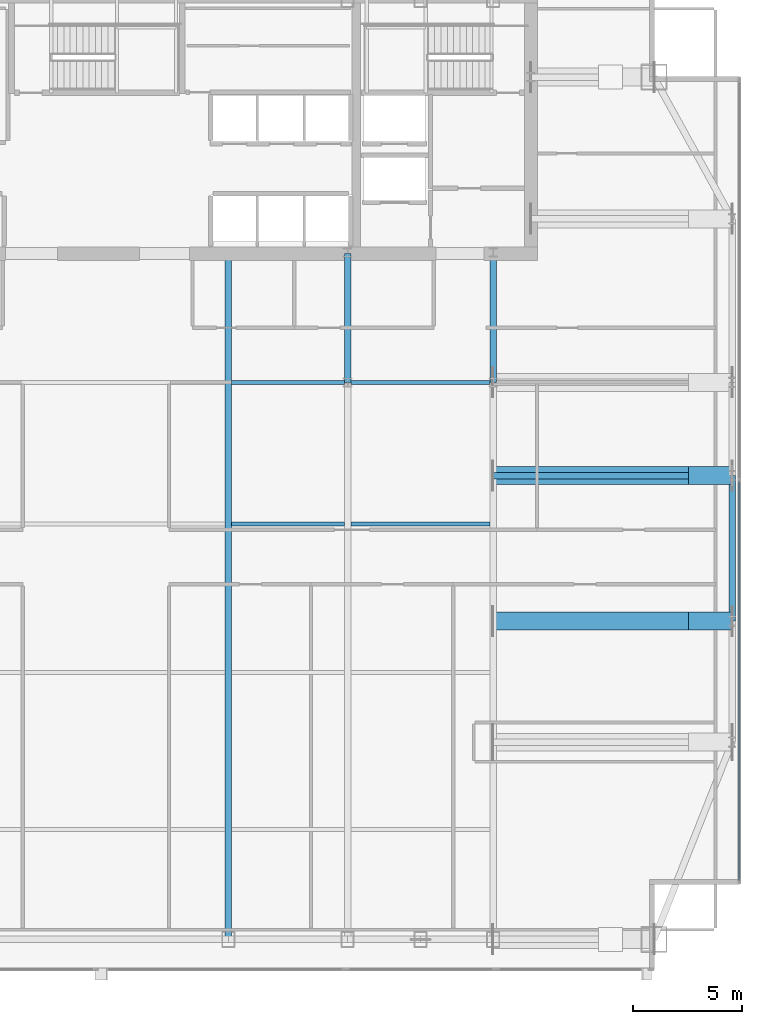
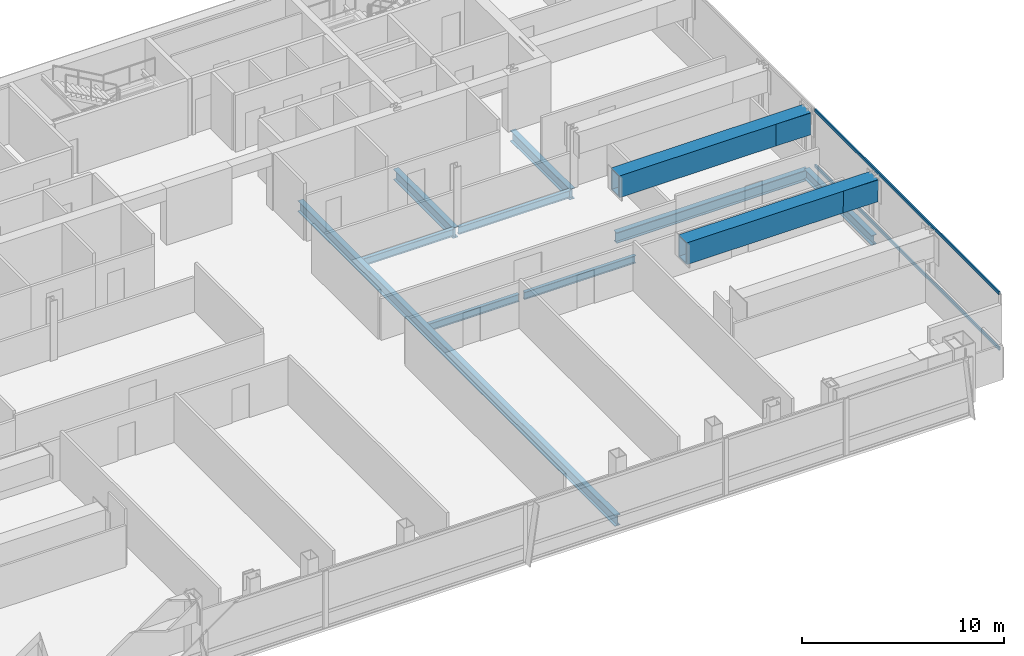
# One storey, part 14 of 26: 13 beams, 2 members, 1 element without a shape of its own.
"""IFC4 building model written with IfcOpenShell, lengths in metres."""

from ifc_helpers import new_model, si_unit, direction, frame, origin, origin_2d, place, context, subcontext, project, spatial, hollow_rectangle, i_section, extrude, material, material_profile, profile_set, type_object, element, aggregate, save


model = new_model("IFC4")

# Units and contexts
model_context = context("Model", 3, precision=1e-05, world=origin(), true_north=direction((0.0, 1.0)))
body_context = subcontext(model_context, "Body", "Model", "MODEL_VIEW")
ifc_project = project(units=[si_unit("LENGTHUNIT", "METRE"), si_unit("AREAUNIT", "SQUARE_METRE"), si_unit("VOLUMEUNIT", "CUBIC_METRE"), si_unit("PLANEANGLEUNIT", "RADIAN"), si_unit("MASSUNIT", "GRAM", prefix="KILO")], contexts=[model_context])

# Site, building, storey
site_placement = place(None, origin())
site = spatial("IfcSite", under=ifc_project, at=site_placement, CompositionType="ELEMENT")
building_placement = place(site_placement, origin())
building = spatial("IfcBuilding", under=site, at=building_placement, Name="Khoronbel Lancet Exchange", CompositionType="ELEMENT")
storey_placement = place(building_placement, frame((0.0, 0.0, 235.39990234375)))
storey = spatial("IfcBuildingStorey", under=building, at=storey_placement, Name="L60", CompositionType="ELEMENT", Elevation=235.39990234375)

# Beams
ifc_material_1 = material(Name="Steel S355", Category="steel")
ifc_material_profile_1 = material_profile(ifc_material_1, i_section(OverallWidth=0.300048828125, OverallDepth=0.64990234375, WebThickness=0.01611328125, FlangeThickness=0.031005859375, at=origin_2d()), Name="HEB 650")
ifc_profile_set_1 = profile_set([ifc_material_profile_1], Name="Steel S355")
beam_type_1 = type_object("IfcBeamType", Name="BM-BG4", PredefinedType="BEAM", material=ifc_profile_set_1)
beam_1_placement = place(storey_placement, frame((42.52490234375, 10.14990234375, -0.48486328125), z_axis=(0.0, 1.0, 0.0), x_axis=(-1.0, 0.0, 0.0)))
element("IfcBeam", 1, at=beam_1_placement, inside=storey, type_object=beam_type_1, Name="Level L60 primary floor girder G4", PredefinedType="BEAM", context=body_context, shape_type="SweptSolid", body=[
    extrude(i_section(OverallWidth=0.300048828125, OverallDepth=0.64990234375, WebThickness=0.01611328125, FlangeThickness=0.031005859375, at=origin_2d()), origin(), (0.0, 0.0, 1.0), 31.4501953125),
])
for number, where, z_axis, x_axis, name in (
    (2, (48.0, 35.699951171875, -0.48486328125), (0.0, 1.0, 0.0), (-1.0, 0.0, 0.0), "Level L60 spine tie girder GN5"),
    (3, (54.675048828125, 35.699951171875, -0.48486328125), (0.0, 1.0, 0.0), (-1.0, 0.0, 0.0), "Level L60 spine tie girder GN6"),
):
    element("IfcBeam", number, at=place(storey_placement, frame(where, z_axis=z_axis, x_axis=x_axis)), inside=storey, type_object=beam_type_1, Name=name, PredefinedType="BEAM", context=body_context, shape_type="SweptSolid", body=[
        extrude(i_section(OverallWidth=0.300048828125, OverallDepth=0.64990234375, WebThickness=0.01611328125, FlangeThickness=0.031005859375, at=origin_2d()), origin(), (0.0, 0.0, 1.0), 5.900146484375),
    ])
beam_2_placement = place(storey_placement, frame((54.675048828125, 31.425048828125, -0.48486328125), z_axis=(1.0, 0.0, 0.0), x_axis=(0.0, 1.0, 0.0)))
element("IfcBeam", 4, at=beam_2_placement, inside=storey, type_object=beam_type_1, Name="Level L60 east lens tie girder LG2E", PredefinedType="BEAM", context=body_context, shape_type="SweptSolid", body=[
    extrude(i_section(OverallWidth=0.300048828125, OverallDepth=0.64990234375, WebThickness=0.01611328125, FlangeThickness=0.031005859375, at=origin_2d()), origin(), (0.0, 0.0, 1.0), 10.954833984375),
])
ifc_material_profile_2 = material_profile(ifc_material_1, i_section(OverallWidth=0.18994140625, OverallDepth=0.449951171875, WebThickness=0.009521484375, FlangeThickness=0.0146484375, at=origin_2d()), Name="IPE 450")
ifc_profile_set_2 = profile_set([ifc_material_profile_2], Name="Steel S355")
beam_type_2 = type_object("IfcBeamType", Name="BM-BJ4", PredefinedType="JOIST", material=ifc_profile_set_2)
beam_3_placement = place(storey_placement, frame((42.675048828125, 29.199951171875, -0.385009765625), z_axis=(1.0, 0.0, 0.0), x_axis=(0.0, 1.0, 0.0)))
element("IfcBeam", 5, at=beam_3_placement, inside=storey, type_object=beam_type_2, Name="Level L60 secondary composite joist J14", PredefinedType="JOIST", context=body_context, shape_type="SweptSolid", body=[
    extrude(i_section(OverallWidth=0.18994140625, OverallDepth=0.449951171875, WebThickness=0.009521484375, FlangeThickness=0.0146484375, at=origin_2d()), origin(), (0.0, 0.0, 1.0), 5.175048828125),
])
beam_4_placement = place(storey_placement, frame((48.14990234375, 29.199951171875, -0.385009765625), z_axis=(1.0, 0.0, 0.0), x_axis=(0.0, 1.0, 0.0)))
element("IfcBeam", 6, at=beam_4_placement, inside=storey, type_object=beam_type_2, Name="Level L60 secondary composite joist J15", PredefinedType="JOIST", context=body_context, shape_type="SweptSolid", body=[
    extrude(i_section(OverallWidth=0.18994140625, OverallDepth=0.449951171875, WebThickness=0.009521484375, FlangeThickness=0.0146484375, at=origin_2d()), origin(), (0.0, 0.0, 1.0), 6.375),
])
beam_5_placement = place(storey_placement, frame((42.675048828125, 35.699951171875, -0.385009765625), z_axis=(1.0, 0.0, 0.0), x_axis=(0.0, 1.0, 0.0)))
element("IfcBeam", 7, at=beam_5_placement, inside=storey, type_object=beam_type_2, Name="Level L60 secondary composite joist J19", PredefinedType="JOIST", context=body_context, shape_type="SweptSolid", body=[
    extrude(i_section(OverallWidth=0.18994140625, OverallDepth=0.449951171875, WebThickness=0.009521484375, FlangeThickness=0.0146484375, at=origin_2d()), origin(), (0.0, 0.0, 1.0), 5.175048828125),
])
beam_6_placement = place(storey_placement, frame((48.14990234375, 35.699951171875, -0.385009765625), z_axis=(1.0, 0.0, 0.0), x_axis=(0.0, 1.0, 0.0)))
element("IfcBeam", 8, at=beam_6_placement, inside=storey, type_object=beam_type_2, Name="Level L60 secondary composite joist J20", PredefinedType="JOIST", context=body_context, shape_type="SweptSolid", body=[
    extrude(i_section(OverallWidth=0.18994140625, OverallDepth=0.449951171875, WebThickness=0.009521484375, FlangeThickness=0.0146484375, at=origin_2d()), origin(), (0.0, 0.0, 1.0), 6.375),
])
ifc_material_profile_3 = material_profile(ifc_material_1, i_section(OverallWidth=0.300048828125, OverallDepth=0.60009765625, WebThickness=0.015380859375, FlangeThickness=0.030029296875, at=origin_2d()), Name="HEB 600")
ifc_profile_set_3 = profile_set([ifc_material_profile_3], Name="Steel S355")
beam_type_3 = type_object("IfcBeamType", Name="BM-BSP2", PredefinedType="SPANDREL", material=ifc_profile_set_3)
beam_7_placement = place(storey_placement, frame((65.6298828125, 24.75, -0.4599609375), z_axis=(0.0, 1.0, 0.0), x_axis=(-1.0, 0.0, 0.0)))
element("IfcBeam", 9, at=beam_7_placement, inside=storey, type_object=beam_type_3, Name="Level L60 perimeter spandrel beam SP12", PredefinedType="SPANDREL", context=body_context, shape_type="SweptSolid", body=[
    extrude(i_section(OverallWidth=0.300048828125, OverallDepth=0.60009765625, WebThickness=0.015380859375, FlangeThickness=0.030029296875, at=origin_2d()), origin(), (0.0, 0.0, 1.0), 6.675048828125),
])
ifc_material_2 = material(Name="Steel S460", Category="steel")
ifc_material_profile_4 = material_profile(ifc_material_2, hollow_rectangle(XDim=0.820068359375, YDim=1.320068359375, WallThickness=0.070068359375, at=origin_2d()), Name="BOX 820x1320x70")
ifc_profile_set_4 = profile_set([ifc_material_profile_4], Name="Steel S460")
beam_type_4 = type_object("IfcBeamType", Name="BM-TG4", PredefinedType="USERDEFINED", material=ifc_profile_set_4)
for number, where, z_axis, x_axis, name in (
    (10, (65.6298828125, 24.75, 2.760009765625), (-0.99994990606, 0.0, 0.010009264196), (0.0, -1.0, 0.0), "Setback transfer knee-brace girder L60-EC-2"),
    (11, (65.6298828125, 31.425048828125, 2.760009765625), (-0.99994990606, 0.0, 0.010009264196), (0.0, -1.0, 0.0), "Setback transfer knee-brace girder L60-EC-M"),
):
    element("IfcBeam", number, at=place(storey_placement, frame(where, z_axis=z_axis, x_axis=x_axis)), inside=storey, type_object=beam_type_4, Name=name, ObjectType="TRANSFER GIRDER", PredefinedType="USERDEFINED", context=body_context, shape_type="SweptSolid", body=[
        extrude(hollow_rectangle(XDim=0.820068359375, YDim=1.320068359375, WallThickness=0.070068359375, at=origin_2d()), origin(), (0.0, 0.0, 1.0), 2.0),
    ])
for number, where, z_axis, x_axis, name in (
    (12, (54.675048828125, 24.75, 2.780029296875), (1.0, 0.0, 0.0), (0.0, 1.0, 0.0), "Lens setback S460 transfer girder L60-E2"),
    (13, (54.675048828125, 31.425048828125, 2.780029296875), (1.0, 0.0, 0.0), (0.0, 1.0, 0.0), "Lens setback S460 transfer girder L60-E3"),
):
    element("IfcBeam", number, at=place(storey_placement, frame(where, z_axis=z_axis, x_axis=x_axis)), inside=storey, type_object=beam_type_4, Name=name, ObjectType="TRANSFER GIRDER", PredefinedType="USERDEFINED", context=body_context, shape_type="SweptSolid", body=[
        extrude(hollow_rectangle(XDim=0.820068359375, YDim=1.320068359375, WallThickness=0.070068359375, at=origin_2d()), origin(), (0.0, 0.0, 1.0), 10.954833984375),
    ])

# Curtain wall, members
ifc_material_3 = material(Name="Low-E Solar Control Insulating Glass", Category="glass")
curtain_wall_type = type_object("IfcCurtainWallType", Name="CW-4", PredefinedType="NOTDEFINED", material=ifc_material_3)
curtain_wall_placement = place(storey_placement, origin())
curtain_wall = element("IfcCurtainWall", 14, at=curtain_wall_placement, inside=storey, type_object=curtain_wall_type, Name="Unitised curtain wall CW-L60-E09", PredefinedType="NOTDEFINED")
ifc_material_4 = material(Name="Bronze-Anodised Aluminium 6063-T6", Category="aluminium")
ifc_material_profile_5 = material_profile(ifc_material_4, hollow_rectangle(XDim=0.0849609375, YDim=0.179931640625, WallThickness=0.0048828125, at=origin_2d()), Name="ALU TRANSOM 85x180")
ifc_profile_set_5 = profile_set([ifc_material_profile_5], Name="Bronze-Anodised Aluminium 6063-T6")
member_type = type_object("IfcMemberType", Name="MEM-CWT1", PredefinedType="USERDEFINED", material=ifc_profile_set_5)
member_1_placement = place(storey_placement, frame((65.9599609375, 31.16259765625, 0.04248046875), z_axis=(0.0, -1.0, 0.0), x_axis=(1.0, 0.0, 0.0)))
member_1 = element("IfcMember", 15, at=member_1_placement, type_object=member_type, Name="CW4 transom 2.1", ObjectType="TRANSOM", PredefinedType="USERDEFINED", context=body_context, shape_type="SweptSolid", body=[
    extrude(hollow_rectangle(XDim=0.0849609375, YDim=0.179931640625, WallThickness=0.0048828125, at=origin_2d()), origin(), (0.0, 0.0, 1.0), 18.297607421875),
])
member_2_placement = place(storey_placement, frame((65.9599609375, 31.16259765625, 3.397705078125), z_axis=(0.0, -1.0, 0.0), x_axis=(1.0, 0.0, 0.0)))
member_2 = element("IfcMember", 16, at=member_2_placement, type_object=member_type, Name="CW4 transom 2.2", ObjectType="TRANSOM", PredefinedType="USERDEFINED", context=body_context, shape_type="SweptSolid", body=[
    extrude(hollow_rectangle(XDim=0.0849609375, YDim=0.179931640625, WallThickness=0.0048828125, at=origin_2d()), origin(), (0.0, 0.0, 1.0), 18.297607421875),
])
aggregate(curtain_wall, [member_1, member_2])

save(model, "model.ifc")
